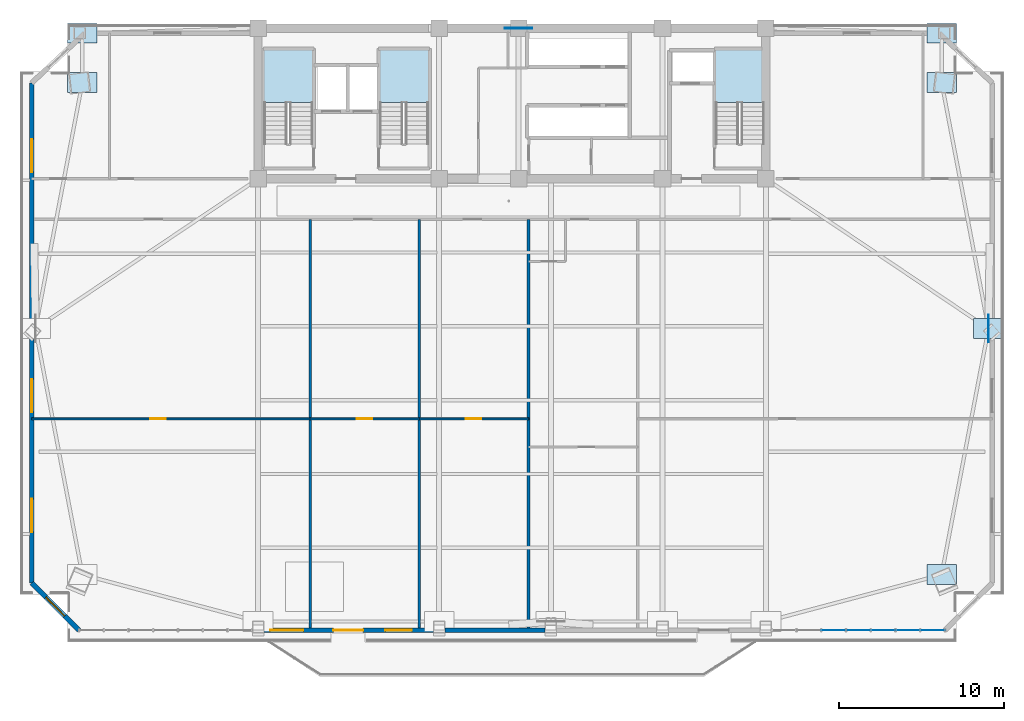
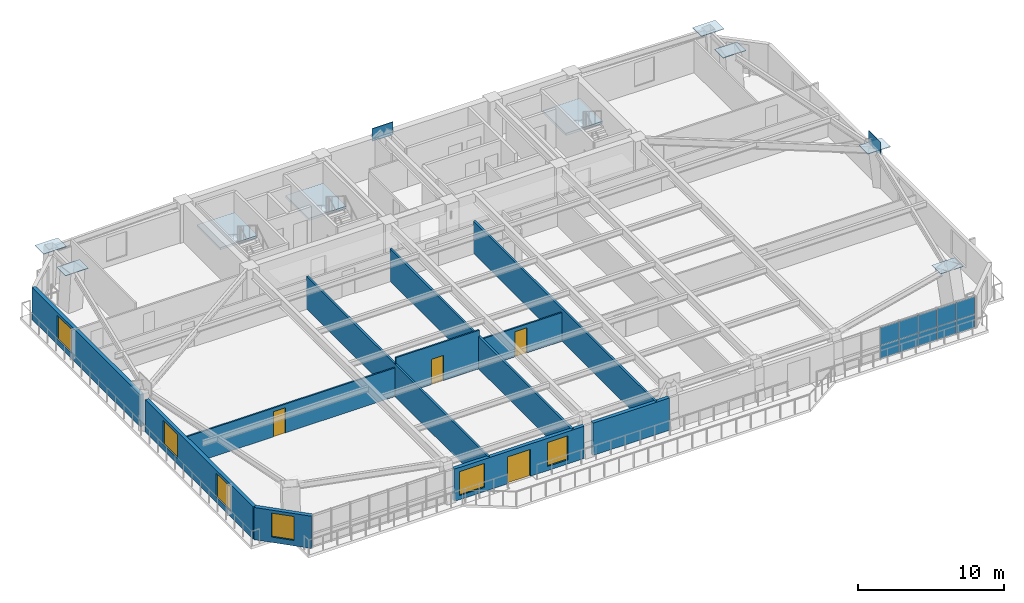
# One storey, part 7 of 15: 18 plates, 11 walls, 6 windows, 4 doors, 3 slabs, 10 openings, 4 elements without a shape of their own.
"""IFC4 building model written with IfcOpenShell, lengths in metres."""

from ifc_helpers import new_model, si_unit, direction, frame, frame_2d, origin, origin_2d, place, context, subcontext, project, spatial, polyline, rectangle, outline, extrude, source, transform, mapped, material, layer, layer_set, type_object, element, fill, aggregate, save


model = new_model("IFC4")

# Units and contexts
model_context = context("Model", 3, precision=1e-05, world=origin(), true_north=direction((0.0, 1.0)))
body_context = subcontext(model_context, "Body", "Model", "MODEL_VIEW")
ifc_project = project(units=[si_unit("LENGTHUNIT", "METRE"), si_unit("AREAUNIT", "SQUARE_METRE"), si_unit("VOLUMEUNIT", "CUBIC_METRE"), si_unit("PLANEANGLEUNIT", "RADIAN"), si_unit("MASSUNIT", "GRAM", prefix="KILO")], contexts=[model_context])

# Site, building, storey
site_placement = place(None, origin())
site = spatial("IfcSite", under=ifc_project, at=site_placement, CompositionType="ELEMENT")
building_placement = place(site_placement, origin())
building = spatial("IfcBuilding", under=site, at=building_placement, Name="Giltprow Tower", CompositionType="ELEMENT")
storey_placement = place(building_placement, frame((0.0, 0.0, 187.699951171875)))
storey = spatial("IfcBuildingStorey", under=building, at=storey_placement, Name="L47", CompositionType="ELEMENT", Elevation=187.699951171875)

# Stair, slab
ifc_material_1 = material(Name="Concrete C40", Category="concrete")
stair_type_1 = type_object("IfcStairType", Name="STR-ST-1", PredefinedType="HALF_TURN_STAIR", material=ifc_material_1)
stair_1_placement = place(storey_placement, origin())
stair_1 = element("IfcStair", 1, at=stair_1_placement, inside=storey, type_object=stair_type_1, Name="L47 Core Exit Stair ST-1", PredefinedType="HALF_TURN_STAIR")
ifc_layer_1 = layer(ifc_material_1, 0.179931640625, Name="Concrete C40")
ifc_layer_set_1 = layer_set([ifc_layer_1], Name="Concrete C40")
slab_type_1 = type_object("IfcSlabType", Name="SLD-ST-1", PredefinedType="LANDING", material=ifc_layer_set_1)
slab_1_placement = place(storey_placement, frame((0.0, 0.0, 1.570068359375)))
slab_1 = element("IfcSlab", 2, at=slab_1_placement, type_object=slab_type_1, Name="ST-1 landing 1", PredefinedType="LANDING", context=body_context, shape_type="SweptSolid", body=[
    extrude(outline(polyline([(23.159912109375, 42.070068359375), (23.159912109375, 45.25), (20.199951171875, 45.25), (20.199951171875, 42.070068359375), (23.159912109375, 42.070068359375)])), origin(), (0.0, 0.0, 1.0), 0.179931640625),
])
aggregate(stair_1, [slab_1])

stair_type_2 = type_object("IfcStairType", Name="STR-ST-2", PredefinedType="HALF_TURN_STAIR", material=ifc_material_1)
stair_2_placement = place(storey_placement, origin())
stair_2 = element("IfcStair", 3, at=stair_2_placement, inside=storey, type_object=stair_type_2, Name="L47 Core Exit Stair ST-2", PredefinedType="HALF_TURN_STAIR")
ifc_layer_2 = layer(ifc_material_1, 0.18798828125, Name="Concrete C40")
ifc_layer_set_2 = layer_set([ifc_layer_2], Name="Concrete C40")
slab_type_2 = type_object("IfcSlabType", Name="SLD-ST-2", PredefinedType="LANDING", material=ifc_layer_set_2)
slab_2_placement = place(storey_placement, frame((0.0, 0.0, 1.56201171875)))
slab_2 = element("IfcSlab", 4, at=slab_2_placement, type_object=slab_type_2, Name="ST-2 landing 1", PredefinedType="LANDING", context=body_context, shape_type="SweptSolid", body=[
    extrude(outline(polyline([(30.159912109375, 42.070068359375), (30.159912109375, 45.25), (27.199951171875, 45.25), (27.199951171875, 42.070068359375), (30.159912109375, 42.070068359375)])), origin(), (0.0, 0.0, 1.0), 0.18798828125),
])
aggregate(stair_2, [slab_2])

stair_type_3 = type_object("IfcStairType", Name="STR-ST-3", PredefinedType="HALF_TURN_STAIR", material=ifc_material_1)
stair_3_placement = place(storey_placement, origin())
stair_3 = element("IfcStair", 5, at=stair_3_placement, inside=storey, type_object=stair_type_3, Name="L47 Core Exit Stair ST-3", PredefinedType="HALF_TURN_STAIR")
ifc_layer_3 = layer(ifc_material_1, 0.196044921875, Name="Concrete C40")
ifc_layer_set_3 = layer_set([ifc_layer_3], Name="Concrete C40")
slab_type_3 = type_object("IfcSlabType", Name="SLD-ST-3", PredefinedType="LANDING", material=ifc_layer_set_3)
slab_3_placement = place(storey_placement, frame((0.0, 0.0, 1.553955078125)))
slab_3 = element("IfcSlab", 6, at=slab_3_placement, type_object=slab_type_3, Name="ST-3 landing 1", PredefinedType="LANDING", context=body_context, shape_type="SweptSolid", body=[
    extrude(outline(polyline([(50.4599609375, 42.070068359375), (50.4599609375, 45.25), (47.5, 45.25), (47.5, 42.070068359375), (50.4599609375, 42.070068359375)])), origin(), (0.0, 0.0, 1.0), 0.196044921875),
])
aggregate(stair_3, [slab_3])

# Plates
ifc_material_2 = material(Name="Structural steel Q420GJC", Category="steel")
plate_type_1 = type_object("IfcPlateType", Name="PLT-NODE-CKN1", PredefinedType="USERDEFINED", material=ifc_material_2)
shared_shape_1 = source(origin(), body_context, "Body", "SweptSolid", [
    extrude(rectangle(XDim=1.800048828125, YDim=1.199951171875, at=origin_2d()), origin(), (0.0, 0.0, 1.0), 0.044921875),
])
for number, where, z_axis, x_axis, name in (
    (7, (61.177001953125, 13.514892578125, 3.177490234375), (0.0, 0.0, 1.0), (1.0, 0.0, 0.0), "CKN1 Column Taper Splice Node L47-MC_SE"),
    (8, (9.22412109375, 43.264892578125, 3.177490234375), (0.0, 0.0, 1.0), (1.0, 0.0, 0.0), "CKN1 Column Taper Splice Node L47-MC_NW"),
    (9, (61.177001953125, 43.264892578125, 3.177490234375), (0.0, 0.0, 1.0), (1.0, 0.0, 0.0), "CKN1 Column Taper Splice Node L47-MC_NE"),
    (10, (64.011962890625, 28.389892578125, 3.177490234375), (0.0, 0.0, 1.0), (1.0, 0.0, 0.0), "CKN1 Column Taper Splice Node L47-E_MID"),
    (11, (9.22412109375, 46.25, 3.177490234375), (0.0, 0.0, 1.0), (1.0, 0.0, 0.0), "CKN1 Column Taper Splice Node L47-N_W"),
    (12, (61.177001953125, 46.25, 3.177490234375), (0.0, 0.0, 1.0), (1.0, 0.0, 0.0), "CKN1 Column Taper Splice Node L47-N_E"),
):
    element("IfcPlate", number, at=place(storey_placement, frame(where, z_axis=z_axis, x_axis=x_axis)), inside=storey, type_object=plate_type_1, Name=name, ObjectType="SPLICE", PredefinedType="USERDEFINED", context=body_context, shape_type="MappedRepresentation", body=[
        mapped(shared_shape_1, transform((0.0, 0.0, 0.0), x_axis=(1.0, 0.0, 0.0), y_axis=(0.0, 1.0, 0.0), z_axis=(0.0, 0.0, 1.0), scale=1.0)),
    ])
plate_type_2 = type_object("IfcPlateType", Name="PLT-NODE-MBN2", PredefinedType="USERDEFINED", material=ifc_material_2)
shared_shape_2 = source(origin(), body_context, "Body", "SweptSolid", [
    extrude(rectangle(XDim=1.64990234375, YDim=0.044921875, at=origin_2d()), origin(), (0.0, 0.0, 1.0), 1.050048828125),
])
for number, where, z_axis, x_axis, name in (
    (13, (35.60009765625, 46.550048828125, 2.8349609375), (0.0, 0.0, 1.0), (1.0, 0.0, 0.0), "Mega-Brace Node L47-N-LB"),
    (14, (64.011962890625, 28.389892578125, 2.97509765625), (0.0, 0.0, 1.0), (0.0, 1.0, 0.0), "Mega-Brace Node L47-E-RB"),
):
    element("IfcPlate", number, at=place(storey_placement, frame(where, z_axis=z_axis, x_axis=x_axis)), inside=storey, type_object=plate_type_2, Name=name, ObjectType="GUSSET", PredefinedType="USERDEFINED", context=body_context, shape_type="MappedRepresentation", body=[
        mapped(shared_shape_2, transform((0.0, 0.0, 0.0), x_axis=(1.0, 0.0, 0.0), y_axis=(0.0, 1.0, 0.0), z_axis=(0.0, 0.0, 1.0), scale=1.0)),
    ])

# Curtain wall, plates
ifc_material_3 = material(Name="Anodized bronze", Category="metal")
ifc_layer_4 = layer(ifc_material_3, 0.179931640625, Name="Anodized bronze")
ifc_layer_set_4 = layer_set([ifc_layer_4], Name="Anodized bronze")
curtain_wall_type = type_object("IfcCurtainWallType", Name="CW-HTL-BRONZE", PredefinedType="NOTDEFINED", material=ifc_layer_set_4)
curtain_wall_placement = place(storey_placement, origin())
curtain_wall = element("IfcCurtainWall", 15, at=curtain_wall_placement, inside=storey, type_object=curtain_wall_type, Name="L47 South Recessed Curtain Wall 6", PredefinedType="NOTDEFINED")
ifc_material_4 = material(Name="Insulated glass", Category="glass")
plate_type_3 = type_object("IfcPlateType", Name="CW-PANEL-IGU-28", PredefinedType="CURTAIN_PANEL", material=ifc_material_4)
shared_shape_3 = source(origin(), body_context, "Body", "SweptSolid", [
    extrude(rectangle(XDim=1.468017578125, YDim=0.028076171875, at=origin_2d()), origin(), (0.0, 0.0, 1.0), 1.06591796875),
])
plate_1_placement = place(storey_placement, frame((54.64501953125, 10.154052734375, 0.05419921875), z_axis=(0.0, 0.0, 1.0), x_axis=(1.0, 0.0, 0.0)))
plate_1 = element("IfcPlate", 16, at=plate_1_placement, type_object=plate_type_3, Name="L47 South Recessed Curtain Wall 6 Glazing Panel 3-1", PredefinedType="CURTAIN_PANEL", context=body_context, shape_type="MappedRepresentation", body=[
    mapped(shared_shape_3, transform((0.0, 0.0, 0.0), x_axis=(1.0, 0.0, 0.0), y_axis=(0.0, 1.0, 0.0), z_axis=(0.0, 0.0, 1.0), scale=1.0)),
])
plate_2_placement = place(storey_placement, frame((56.14306640625, 10.154052734375, 0.05419921875), z_axis=(0.0, 0.0, 1.0), x_axis=(1.0, 0.0, 0.0)))
plate_2 = element("IfcPlate", 17, at=plate_2_placement, type_object=plate_type_3, Name="L47 South Recessed Curtain Wall 6 Glazing Panel 4-1", PredefinedType="CURTAIN_PANEL", context=body_context, shape_type="MappedRepresentation", body=[
    mapped(shared_shape_3, transform((0.0, 0.0, 0.0), x_axis=(1.0, 0.0, 0.0), y_axis=(0.0, 1.0, 0.0), z_axis=(0.0, 0.0, 1.0), scale=1.0)),
])
plate_3_placement = place(storey_placement, frame((57.64111328125, 10.154052734375, 0.05419921875), z_axis=(0.0, 0.0, 1.0), x_axis=(1.0, 0.0, 0.0)))
plate_3 = element("IfcPlate", 18, at=plate_3_placement, type_object=plate_type_3, Name="L47 South Recessed Curtain Wall 6 Glazing Panel 5-1", PredefinedType="CURTAIN_PANEL", context=body_context, shape_type="MappedRepresentation", body=[
    mapped(shared_shape_3, transform((0.0, 0.0, 0.0), x_axis=(1.0, 0.0, 0.0), y_axis=(0.0, 1.0, 0.0), z_axis=(0.0, 0.0, 1.0), scale=1.0)),
])
plate_4_placement = place(storey_placement, frame((59.138916015625, 10.154052734375, 0.05419921875), z_axis=(0.0, 0.0, 1.0), x_axis=(1.0, 0.0, 0.0)))
plate_4 = element("IfcPlate", 19, at=plate_4_placement, type_object=plate_type_3, Name="L47 South Recessed Curtain Wall 6 Glazing Panel 6-1", PredefinedType="CURTAIN_PANEL", context=body_context, shape_type="MappedRepresentation", body=[
    mapped(shared_shape_3, transform((0.0, 0.0, 0.0), x_axis=(1.0, 0.0, 0.0), y_axis=(0.0, 1.0, 0.0), z_axis=(0.0, 0.0, 1.0), scale=1.0)),
])
plate_5_placement = place(storey_placement, frame((60.636962890625, 10.154052734375, 0.05419921875), z_axis=(0.0, 0.0, 1.0), x_axis=(1.0, 0.0, 0.0)))
plate_5 = element("IfcPlate", 20, at=plate_5_placement, type_object=plate_type_3, Name="L47 South Recessed Curtain Wall 6 Glazing Panel 7-1", PredefinedType="CURTAIN_PANEL", context=body_context, shape_type="MappedRepresentation", body=[
    mapped(shared_shape_3, transform((0.0, 0.0, 0.0), x_axis=(1.0, 0.0, 0.0), y_axis=(0.0, 1.0, 0.0), z_axis=(0.0, 0.0, 1.0), scale=1.0)),
])
shared_shape_4 = source(origin(), body_context, "Body", "SweptSolid", [
    extrude(rectangle(XDim=1.468017578125, YDim=0.028076171875, at=origin_2d()), origin(), (0.0, 0.0, 1.0), 1.498046875),
])
plate_6_placement = place(storey_placement, frame((54.64501953125, 10.154052734375, 1.14794921875), z_axis=(0.0, 0.0, 1.0), x_axis=(1.0, 0.0, 0.0)))
plate_6 = element("IfcPlate", 21, at=plate_6_placement, type_object=plate_type_3, Name="L47 South Recessed Curtain Wall 6 Glazing Panel 3-2", PredefinedType="CURTAIN_PANEL", context=body_context, shape_type="MappedRepresentation", body=[
    mapped(shared_shape_4, transform((0.0, 0.0, 0.0), x_axis=(1.0, 0.0, 0.0), y_axis=(0.0, 1.0, 0.0), z_axis=(0.0, 0.0, 1.0), scale=1.0)),
])
plate_7_placement = place(storey_placement, frame((56.14306640625, 10.154052734375, 1.14794921875), z_axis=(0.0, 0.0, 1.0), x_axis=(1.0, 0.0, 0.0)))
plate_7 = element("IfcPlate", 22, at=plate_7_placement, type_object=plate_type_3, Name="L47 South Recessed Curtain Wall 6 Glazing Panel 4-2", PredefinedType="CURTAIN_PANEL", context=body_context, shape_type="MappedRepresentation", body=[
    mapped(shared_shape_4, transform((0.0, 0.0, 0.0), x_axis=(1.0, 0.0, 0.0), y_axis=(0.0, 1.0, 0.0), z_axis=(0.0, 0.0, 1.0), scale=1.0)),
])
plate_8_placement = place(storey_placement, frame((57.64111328125, 10.154052734375, 1.14794921875), z_axis=(0.0, 0.0, 1.0), x_axis=(1.0, 0.0, 0.0)))
plate_8 = element("IfcPlate", 23, at=plate_8_placement, type_object=plate_type_3, Name="L47 South Recessed Curtain Wall 6 Glazing Panel 5-2", PredefinedType="CURTAIN_PANEL", context=body_context, shape_type="MappedRepresentation", body=[
    mapped(shared_shape_4, transform((0.0, 0.0, 0.0), x_axis=(1.0, 0.0, 0.0), y_axis=(0.0, 1.0, 0.0), z_axis=(0.0, 0.0, 1.0), scale=1.0)),
])
plate_9_placement = place(storey_placement, frame((59.138916015625, 10.154052734375, 1.14794921875), z_axis=(0.0, 0.0, 1.0), x_axis=(1.0, 0.0, 0.0)))
plate_9 = element("IfcPlate", 24, at=plate_9_placement, type_object=plate_type_3, Name="L47 South Recessed Curtain Wall 6 Glazing Panel 6-2", PredefinedType="CURTAIN_PANEL", context=body_context, shape_type="MappedRepresentation", body=[
    mapped(shared_shape_4, transform((0.0, 0.0, 0.0), x_axis=(1.0, 0.0, 0.0), y_axis=(0.0, 1.0, 0.0), z_axis=(0.0, 0.0, 1.0), scale=1.0)),
])
plate_10_placement = place(storey_placement, frame((60.636962890625, 10.154052734375, 1.14794921875), z_axis=(0.0, 0.0, 1.0), x_axis=(1.0, 0.0, 0.0)))
plate_10 = element("IfcPlate", 25, at=plate_10_placement, type_object=plate_type_3, Name="L47 South Recessed Curtain Wall 6 Glazing Panel 7-2", PredefinedType="CURTAIN_PANEL", context=body_context, shape_type="MappedRepresentation", body=[
    mapped(shared_shape_4, transform((0.0, 0.0, 0.0), x_axis=(1.0, 0.0, 0.0), y_axis=(0.0, 1.0, 0.0), z_axis=(0.0, 0.0, 1.0), scale=1.0)),
])
aggregate(curtain_wall, [plate_1, plate_6, plate_2, plate_7, plate_3, plate_8, plate_4, plate_9, plate_5, plate_10])

# Wall, opening, window
ifc_material_5 = material(Name="Precast concrete C40", Category="concrete")
ifc_layer_5 = layer(ifc_material_5, 0.300048828125, Name="Precast concrete C40")
ifc_layer_set_5 = layer_set([ifc_layer_5], Name="Precast concrete C40")
wall_type_1 = type_object("IfcWallType", Name="EW-NOTCH-CHAMFER-300", PredefinedType="SOLIDWALL", material=ifc_layer_set_5)
wall_1_placement = place(storey_placement, frame((6.154052734375, 13.014892578125, 0.0), z_axis=(0.0, 0.0, 1.0), x_axis=(0.707106781187, -0.707106781187, 0.0)))
wall_1 = element("IfcWall", 26, at=wall_1_placement, inside=storey, type_object=wall_type_1, Name="L47 Corner Notch Wall SW", PredefinedType="SOLIDWALL", context=body_context, shape_type="SweptSolid", body=[
    extrude(rectangle(XDim=4.0458984375, YDim=0.300048828125, at=frame_2d((2.02294921875, 0.0))), origin(), (0.0, 0.0, 1.0), 2.699951171875),
])
opening_1_placement = place(wall_1_placement, frame((1.222900390625, 0.0, 0.449951171875)))
opening_1 = element("IfcOpeningElement", 27, at=opening_1_placement, cuts=wall_1, Name="Opening WN17", PredefinedType="OPENING", context=body_context, shape_type="SweptSolid", body=[
    extrude(rectangle(XDim=1.60009765625, YDim=2.0, at=frame_2d((0.800048828125, 1.0))), frame((0.0, 0.159912109375, 0.0), z_axis=(0.0, -1.0, 0.0), x_axis=(1.0, 0.0, 0.0)), (0.0, 0.0, 1.0), 0.320068359375),
])
window_type_1 = type_object("IfcWindowType", Name="WN-COR-1600x2000", PartitioningType="SINGLE_PANEL", PredefinedType="WINDOW", material=ifc_material_4)
shared_shape_5 = source(origin(), body_context, "Body", "SweptSolid", [
    extrude(rectangle(XDim=1.60009765625, YDim=2.0, at=frame_2d((0.800048828125, 1.0))), frame((0.0, 0.030029296875, 0.0), z_axis=(0.0, -1.0, 0.0), x_axis=(1.0, 0.0, 0.0)), (0.0, 0.0, 1.0), 0.06005859375),
])
window_1_placement = place(opening_1_placement, origin())
window_1 = element("IfcWindow", 28, at=window_1_placement, inside=storey, type_object=window_type_1, Name="L47 Corner Notch Window SW", OverallHeight=2.0, OverallWidth=1.60009765625, PartitioningType="SINGLE_PANEL", PredefinedType="WINDOW", context=body_context, shape_type="MappedRepresentation", body=[
    mapped(shared_shape_5, transform((0.0, 0.0, 0.0), x_axis=(1.0, 0.0, 0.0), y_axis=(0.0, 1.0, 0.0), z_axis=(0.0, 0.0, 1.0), scale=1.0)),
])
fill(opening_1, window_1)

# Wall, openings, windows, door
ifc_layer_6 = layer(ifc_material_5, 0.280029296875, Name="Precast concrete C40")
ifc_layer_set_6 = layer_set([ifc_layer_6], Name="Precast concrete C40")
wall_type_2 = type_object("IfcWallType", Name="EW-TOW-BRONZE-280", PredefinedType="SOLIDWALL", material=ifc_layer_set_6)
wall_2_placement = place(storey_placement, frame((20.199951171875, 10.154052734375, 0.0), z_axis=(0.0, 0.0, 1.0), x_axis=(1.0, 0.0, 0.0)))
wall_2 = element("IfcWall", 29, at=wall_2_placement, inside=storey, type_object=wall_type_2, Name="L47 South Expressed Frame Wall 2", PredefinedType="SOLIDWALL", context=body_context, shape_type="SweptSolid", body=[
    extrude(rectangle(XDim=10.25, YDim=0.280029296875, at=frame_2d((5.125, 0.0))), origin(), (0.0, 0.0, 1.0), 2.699951171875),
])
opening_2_placement = place(wall_2_placement, frame((4.199951171875, 0.0, 0.0)))
opening_2 = element("IfcOpeningElement", 30, at=opening_2_placement, cuts=wall_2, Name="Opening ED25", PredefinedType="OPENING", context=body_context, shape_type="SweptSolid", body=[
    extrude(rectangle(XDim=1.800048828125, YDim=2.25, at=frame_2d((0.89990234375, 1.125))), frame((0.0, 0.14990234375, 0.0), z_axis=(0.0, -1.0, 0.0), x_axis=(1.0, 0.0, 0.0)), (0.0, 0.0, 1.0), 0.300048828125),
])
opening_3_placement = place(wall_2_placement, frame((0.3798828125, 0.0, 0.35009765625)))
opening_3 = element("IfcOpeningElement", 31, at=opening_3_placement, cuts=wall_2, Name="Opening WN21", PredefinedType="OPENING", context=body_context, shape_type="SweptSolid", body=[
    extrude(rectangle(XDim=2.0, YDim=2.0, at=frame_2d((1.0, 1.0))), frame((0.0, 0.14990234375, 0.0), z_axis=(0.0, -1.0, 0.0), x_axis=(1.0, 0.0, 0.0)), (0.0, 0.0, 1.0), 0.300048828125),
])
opening_4_placement = place(wall_2_placement, frame((7.35009765625, 0.0, 0.35009765625)))
opening_4 = element("IfcOpeningElement", 32, at=opening_4_placement, cuts=wall_2, Name="Opening WN17", PredefinedType="OPENING", context=body_context, shape_type="SweptSolid", body=[
    extrude(rectangle(XDim=1.60009765625, YDim=2.0, at=frame_2d((0.800048828125, 1.0))), frame((0.0, 0.14990234375, 0.0), z_axis=(0.0, -1.0, 0.0), x_axis=(1.0, 0.0, 0.0)), (0.0, 0.0, 1.0), 0.300048828125),
])
window_2_placement = place(opening_4_placement, origin())
window_2 = element("IfcWindow", 33, at=window_2_placement, inside=storey, type_object=window_type_1, Name="L47 South Window 2B", OverallHeight=2.0, OverallWidth=1.60009765625, PartitioningType="SINGLE_PANEL", PredefinedType="WINDOW", context=body_context, shape_type="MappedRepresentation", body=[
    mapped(shared_shape_5, transform((0.0, 0.0, 0.0), x_axis=(1.0, 0.0, 0.0), y_axis=(0.0, 1.0, 0.0), z_axis=(0.0, 0.0, 1.0), scale=1.0)),
])
fill(opening_4, window_2)
ifc_material_6 = material(Name="Anodized bronze and glass", Category="glass")
door_type_1 = type_object("IfcDoorType", Name="DR-BALC-SLIDE-1800", OperationType="SLIDING_TO_LEFT", PredefinedType="DOOR", material=ifc_material_6)
shared_shape_6 = source(origin(), body_context, "Body", "SweptSolid", [
    extrude(rectangle(XDim=1.800048828125, YDim=2.25, at=frame_2d((0.89990234375, 1.125))), frame((0.0, 0.02490234375, 0.0), z_axis=(0.0, -1.0, 0.0), x_axis=(1.0, 0.0, 0.0)), (0.0, 0.0, 1.0), 0.050048828125),
])
door_1_placement = place(opening_2_placement, origin())
door_1 = element("IfcDoor", 34, at=door_1_placement, inside=storey, type_object=door_type_1, Name="L47 Waterfront Balcony Sliding Door 1", OperationType="SLIDING_TO_LEFT", OverallHeight=2.25, OverallWidth=1.800048828125, PredefinedType="DOOR", context=body_context, shape_type="MappedRepresentation", body=[
    mapped(shared_shape_6, transform((0.0, 0.0, 0.0), x_axis=(1.0, 0.0, 0.0), y_axis=(0.0, 1.0, 0.0), z_axis=(0.0, 0.0, 1.0), scale=1.0)),
])
fill(opening_2, door_1)
window_type_2 = type_object("IfcWindowType", Name="WN-HTL-2000x2000", PartitioningType="DOUBLE_PANEL_VERTICAL", PredefinedType="WINDOW", material=ifc_material_4)
shared_shape_7 = source(origin(), body_context, "Body", "SweptSolid", [
    extrude(rectangle(XDim=2.0, YDim=2.0, at=frame_2d((1.0, 1.0))), frame((0.0, 0.030029296875, 0.0), z_axis=(0.0, -1.0, 0.0), x_axis=(1.0, 0.0, 0.0)), (0.0, 0.0, 1.0), 0.06005859375),
])
window_3_placement = place(opening_3_placement, origin())
window_3 = element("IfcWindow", 35, at=window_3_placement, inside=storey, type_object=window_type_2, Name="L47 South Window 2A", OverallHeight=2.0, OverallWidth=2.0, PartitioningType="SINGLE_PANEL", PredefinedType="WINDOW", context=body_context, shape_type="MappedRepresentation", body=[
    mapped(shared_shape_7, transform((0.0, 0.0, 0.0), x_axis=(1.0, 0.0, 0.0), y_axis=(0.0, 1.0, 0.0), z_axis=(0.0, 0.0, 1.0), scale=1.0)),
])
fill(opening_3, window_3)

# Wall
wall_3_placement = place(storey_placement, frame((31.14990234375, 10.154052734375, 0.0), z_axis=(0.0, 0.0, 1.0), x_axis=(1.0, 0.0, 0.0)))
element("IfcWall", 36, at=wall_3_placement, inside=storey, type_object=wall_type_2, Name="L47 South Expressed Frame Wall 3", PredefinedType="SOLIDWALL", context=body_context, shape_type="SweptSolid", body=[
    extrude(rectangle(XDim=6.050048828125, YDim=0.280029296875, at=frame_2d((3.02490234375, 0.0))), origin(), (0.0, 0.0, 1.0), 2.699951171875),
])

# Wall, openings, windows
wall_4_placement = place(storey_placement, frame((6.154052734375, 13.014892578125, 0.0), z_axis=(0.0, 0.0, 1.0), x_axis=(0.0, 1.0, 0.0)))
wall_4 = element("IfcWall", 37, at=wall_4_placement, inside=storey, type_object=wall_type_2, Name="L47 W Wing Masonry Wall 1", PredefinedType="SOLIDWALL", context=body_context, shape_type="SweptSolid", body=[
    extrude(rectangle(XDim=14.76220703125, YDim=0.280029296875, at=frame_2d((7.381103515625, 0.0))), origin(), (0.0, 0.0, 1.0), 2.699951171875),
])
opening_5_placement = place(wall_4_placement, frame((3.077880859375, 0.0, 0.449951171875)))
opening_5 = element("IfcOpeningElement", 38, at=opening_5_placement, cuts=wall_4, Name="Opening WN21", PredefinedType="OPENING", context=body_context, shape_type="SweptSolid", body=[
    extrude(rectangle(XDim=2.0, YDim=2.0, at=frame_2d((1.0, 1.0))), frame((0.0, 0.14990234375, 0.0), z_axis=(0.0, -1.0, 0.0), x_axis=(1.0, 0.0, 0.0)), (0.0, 0.0, 1.0), 0.300048828125),
])
opening_6_placement = place(wall_4_placement, frame((10.324951171875, 0.0, 0.449951171875)))
opening_6 = element("IfcOpeningElement", 39, at=opening_6_placement, cuts=wall_4, Name="Opening WN21", PredefinedType="OPENING", context=body_context, shape_type="SweptSolid", body=[
    extrude(rectangle(XDim=2.0, YDim=2.0, at=frame_2d((1.0, 1.0))), frame((0.0, 0.14990234375, 0.0), z_axis=(0.0, -1.0, 0.0), x_axis=(1.0, 0.0, 0.0)), (0.0, 0.0, 1.0), 0.300048828125),
])
window_4_placement = place(opening_5_placement, origin())
window_4 = element("IfcWindow", 40, at=window_4_placement, inside=storey, type_object=window_type_2, Name="L47 W Wing Window 1-1A", OverallHeight=2.0, OverallWidth=2.0, PartitioningType="SINGLE_PANEL", PredefinedType="WINDOW", context=body_context, shape_type="MappedRepresentation", body=[
    mapped(shared_shape_7, transform((0.0, 0.0, 0.0), x_axis=(1.0, 0.0, 0.0), y_axis=(0.0, 1.0, 0.0), z_axis=(0.0, 0.0, 1.0), scale=1.0)),
])
fill(opening_5, window_4)
window_5_placement = place(opening_6_placement, origin())
window_5 = element("IfcWindow", 41, at=window_5_placement, inside=storey, type_object=window_type_2, Name="L47 W Wing Window 1-1B", OverallHeight=2.0, OverallWidth=2.0, PartitioningType="SINGLE_PANEL", PredefinedType="WINDOW", context=body_context, shape_type="MappedRepresentation", body=[
    mapped(shared_shape_7, transform((0.0, 0.0, 0.0), x_axis=(1.0, 0.0, 0.0), y_axis=(0.0, 1.0, 0.0), z_axis=(0.0, 0.0, 1.0), scale=1.0)),
])
fill(opening_6, window_5)

# Wall, opening, window
wall_5_placement = place(storey_placement, frame((6.154052734375, 28.47705078125, 0.0), z_axis=(0.0, 0.0, 1.0), x_axis=(0.0, 1.0, 0.0)))
wall_5 = element("IfcWall", 42, at=wall_5_placement, inside=storey, type_object=wall_type_2, Name="L47 W Wing Masonry Wall 2", PredefinedType="SOLIDWALL", context=body_context, shape_type="SweptSolid", body=[
    extrude(rectangle(XDim=14.761962890625, YDim=0.280029296875, at=frame_2d((7.380859375, 0.0))), origin(), (0.0, 0.0, 1.0), 2.699951171875),
])
opening_7_placement = place(wall_5_placement, frame((9.3779296875, 0.0, 0.449951171875)))
opening_7 = element("IfcOpeningElement", 43, at=opening_7_placement, cuts=wall_5, Name="Opening WN21", PredefinedType="OPENING", context=body_context, shape_type="SweptSolid", body=[
    extrude(rectangle(XDim=2.0, YDim=2.0, at=frame_2d((1.0, 1.0))), frame((0.0, 0.14990234375, 0.0), z_axis=(0.0, -1.0, 0.0), x_axis=(1.0, 0.0, 0.0)), (0.0, 0.0, 1.0), 0.300048828125),
])
window_6_placement = place(opening_7_placement, origin())
window_6 = element("IfcWindow", 44, at=window_6_placement, inside=storey, type_object=window_type_2, Name="L47 W Wing Window 2-1", OverallHeight=2.0, OverallWidth=2.0, PartitioningType="SINGLE_PANEL", PredefinedType="WINDOW", context=body_context, shape_type="MappedRepresentation", body=[
    mapped(shared_shape_7, transform((0.0, 0.0, 0.0), x_axis=(1.0, 0.0, 0.0), y_axis=(0.0, 1.0, 0.0), z_axis=(0.0, 0.0, 1.0), scale=1.0)),
])
fill(opening_7, window_6)

# Walls
ifc_material_7 = material(Name="Gypsum stud partition", Category="gypsum")
ifc_layer_7 = layer(ifc_material_7, 0.159912109375, Name="Gypsum stud partition")
ifc_layer_set_7 = layer_set([ifc_layer_7], Name="Gypsum stud partition")
wall_type_3 = type_object("IfcWallType", Name="IW-DEMISE-160", PredefinedType="PARTITIONING", material=ifc_layer_set_7)
for number, where, z_axis, x_axis, name in (
    (45, (23.0, 10.154052734375, 0.0), (0.0, 0.0, 1.0), (0.0, 1.0, 0.0), "L47 Hotel Demising Wall 1"),
    (46, (29.60009765625, 10.154052734375, 0.0), (0.0, 0.0, 1.0), (0.0, 1.0, 0.0), "L47 Hotel Demising Wall 2"),
    (47, (36.199951171875, 10.154052734375, 0.0), (0.0, 0.0, 1.0), (0.0, 1.0, 0.0), "L47 Hotel Demising Wall 3"),
):
    element("IfcWall", number, at=place(storey_placement, frame(where, z_axis=z_axis, x_axis=x_axis)), inside=storey, type_object=wall_type_3, Name=name, PredefinedType="PARTITIONING", context=body_context, shape_type="SweptSolid", body=[
        extrude(rectangle(XDim=24.845947265625, YDim=0.159912109375, at=frame_2d((12.4228515625, 0.0))), origin(), (0.0, 0.0, 1.0), 2.705078125),
    ])

# Wall, opening, door
ifc_layer_8 = layer(ifc_material_7, 0.1201171875, Name="Gypsum stud partition")
ifc_layer_set_8 = layer_set([ifc_layer_8], Name="Gypsum stud partition")
wall_type_4 = type_object("IfcWallType", Name="IW-ROOM-120", PredefinedType="PARTITIONING", material=ifc_layer_set_8)
wall_6_placement = place(storey_placement, frame((6.154052734375, 22.93994140625, 0.0), z_axis=(0.0, 0.0, 1.0), x_axis=(1.0, 0.0, 0.0)))
wall_6 = element("IfcWall", 48, at=wall_6_placement, inside=storey, type_object=wall_type_4, Name="L47 Amenity Mid Wall 1", PredefinedType="PARTITIONING", context=body_context, shape_type="SweptSolid", body=[
    extrude(rectangle(XDim=16.845947265625, YDim=0.1201171875, at=frame_2d((8.4228515625, 0.0))), origin(), (0.0, 0.0, 1.0), 2.405029296875),
])
opening_8_placement = place(wall_6_placement, frame((7.1650390625, 0.0, 0.0)))
opening_8 = element("IfcOpeningElement", 49, at=opening_8_placement, cuts=wall_6, Name="Opening ID11", PredefinedType="OPENING", context=body_context, shape_type="SweptSolid", body=[
    extrude(rectangle(XDim=0.949951171875, YDim=2.10009765625, at=frame_2d((0.47509765625, 1.050048828125))), frame((0.0, 0.070068359375, 0.0), z_axis=(0.0, -1.0, 0.0), x_axis=(1.0, 0.0, 0.0)), (0.0, 0.0, 1.0), 0.14013671875),
])
ifc_material_8 = material(Name="Engineered timber", Category="wood")
door_type_2 = type_object("IfcDoorType", Name="DR-ROOM-950", OperationType="SINGLE_SWING_RIGHT", PredefinedType="DOOR", material=ifc_material_8)
shared_shape_8 = source(origin(), body_context, "Body", "SweptSolid", [
    extrude(rectangle(XDim=0.949951171875, YDim=2.10009765625, at=frame_2d((0.47509765625, 1.050048828125))), frame((0.0, 0.02490234375, 0.0), z_axis=(0.0, -1.0, 0.0), x_axis=(1.0, 0.0, 0.0)), (0.0, 0.0, 1.0), 0.050048828125),
])
door_2_placement = place(opening_8_placement, origin())
door_2 = element("IfcDoor", 50, at=door_2_placement, inside=storey, type_object=door_type_2, Name="L47 Sommelier Pantry Kitchen 1 Inner Door", OperationType="SINGLE_SWING_LEFT", OverallHeight=2.10009765625, OverallWidth=0.949951171875, PredefinedType="DOOR", context=body_context, shape_type="MappedRepresentation", body=[
    mapped(shared_shape_8, transform((0.0, 0.0, 0.0), x_axis=(1.0, 0.0, 0.0), y_axis=(0.0, 1.0, 0.0), z_axis=(0.0, 0.0, 1.0), scale=1.0)),
])
fill(opening_8, door_2)

wall_7_placement = place(storey_placement, frame((23.0, 22.93994140625, 0.0), z_axis=(0.0, 0.0, 1.0), x_axis=(1.0, 0.0, 0.0)))
wall_7 = element("IfcWall", 51, at=wall_7_placement, inside=storey, type_object=wall_type_4, Name="L47 Amenity Mid Wall 2", PredefinedType="PARTITIONING", context=body_context, shape_type="SweptSolid", body=[
    extrude(rectangle(XDim=6.60009765625, YDim=0.1201171875, at=frame_2d((3.300048828125, 0.0))), origin(), (0.0, 0.0, 1.0), 3.219970703125),
])
opening_9_placement = place(wall_7_placement, frame((2.805908203125, 0.0, 0.0)))
opening_9 = element("IfcOpeningElement", 52, at=opening_9_placement, cuts=wall_7, Name="Opening ID11", PredefinedType="OPENING", context=body_context, shape_type="SweptSolid", body=[
    extrude(rectangle(XDim=0.949951171875, YDim=2.10009765625, at=frame_2d((0.47509765625, 1.050048828125))), frame((0.0, 0.070068359375, 0.0), z_axis=(0.0, -1.0, 0.0), x_axis=(1.0, 0.0, 0.0)), (0.0, 0.0, 1.0), 0.14013671875),
])
door_3_placement = place(opening_9_placement, origin())
door_3 = element("IfcDoor", 53, at=door_3_placement, inside=storey, type_object=door_type_2, Name="L47 Room Service Kitchen 2 Inner Door", OperationType="SINGLE_SWING_LEFT", OverallHeight=2.10009765625, OverallWidth=0.949951171875, PredefinedType="DOOR", context=body_context, shape_type="MappedRepresentation", body=[
    mapped(shared_shape_8, transform((0.0, 0.0, 0.0), x_axis=(1.0, 0.0, 0.0), y_axis=(0.0, 1.0, 0.0), z_axis=(0.0, 0.0, 1.0), scale=1.0)),
])
fill(opening_9, door_3)

wall_8_placement = place(storey_placement, frame((29.60009765625, 22.93994140625, 0.0), z_axis=(0.0, 0.0, 1.0), x_axis=(1.0, 0.0, 0.0)))
wall_8 = element("IfcWall", 54, at=wall_8_placement, inside=storey, type_object=wall_type_4, Name="L47 Amenity Mid Wall 3", PredefinedType="PARTITIONING", context=body_context, shape_type="SweptSolid", body=[
    extrude(rectangle(XDim=6.599853515625, YDim=0.1201171875, at=frame_2d((3.2998046875, 0.0))), origin(), (0.0, 0.0, 1.0), 2.405029296875),
])
opening_10_placement = place(wall_8_placement, frame((2.805908203125, 0.0, 0.0)))
opening_10 = element("IfcOpeningElement", 55, at=opening_10_placement, cuts=wall_8, Name="Opening ID11", PredefinedType="OPENING", context=body_context, shape_type="SweptSolid", body=[
    extrude(rectangle(XDim=0.949951171875, YDim=2.10009765625, at=frame_2d((0.47509765625, 1.050048828125))), frame((0.0, 0.070068359375, 0.0), z_axis=(0.0, -1.0, 0.0), x_axis=(1.0, 0.0, 0.0)), (0.0, 0.0, 1.0), 0.14013671875),
])
door_4_placement = place(opening_10_placement, origin())
door_4 = element("IfcDoor", 56, at=door_4_placement, inside=storey, type_object=door_type_2, Name="L47 Pastry Finishing Kitchen 3 Inner Door", OperationType="SINGLE_SWING_LEFT", OverallHeight=2.10009765625, OverallWidth=0.949951171875, PredefinedType="DOOR", context=body_context, shape_type="MappedRepresentation", body=[
    mapped(shared_shape_8, transform((0.0, 0.0, 0.0), x_axis=(1.0, 0.0, 0.0), y_axis=(0.0, 1.0, 0.0), z_axis=(0.0, 0.0, 1.0), scale=1.0)),
])
fill(opening_10, door_4)

save(model, "model.ifc")
